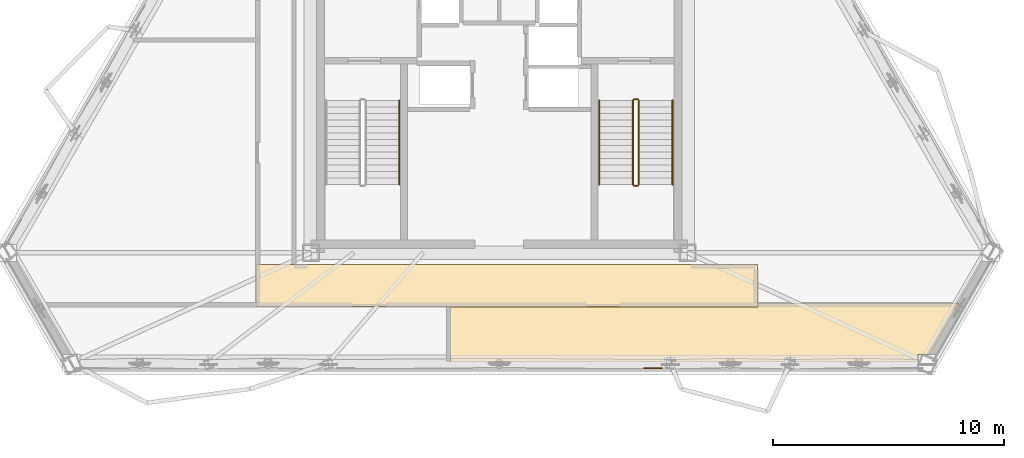
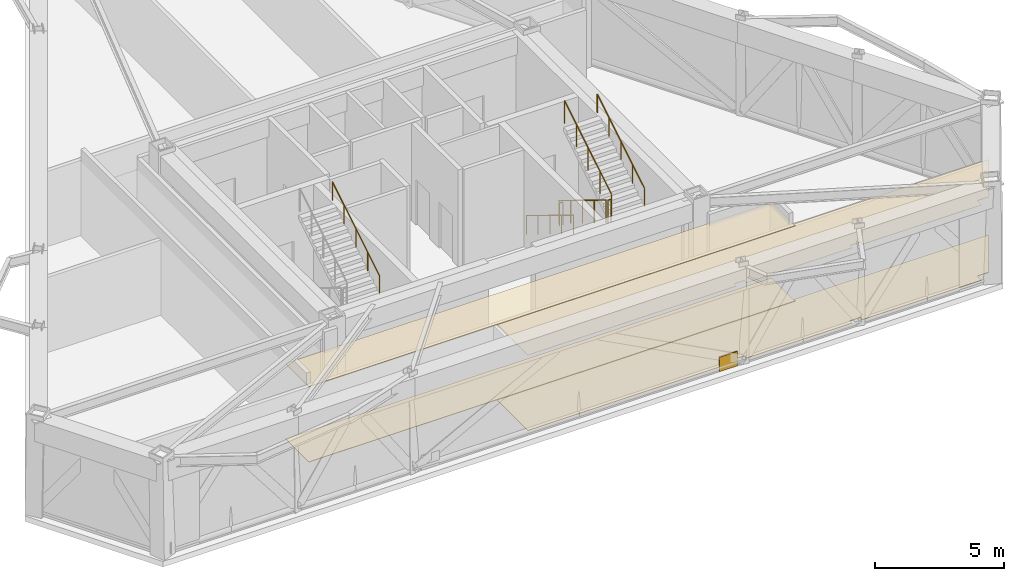
# One storey, part 9 of 10: 7 railings, 5 coverings.
"""IFC4 building model written with IfcOpenShell, lengths in metres."""

from ifc_helpers import new_model, si_unit, direction, frame, origin, origin_2d, place, context, subcontext, project, spatial, polyline, rectangle, circle, outline, extrude, material, layer, layer_set, type_object, element, save


model = new_model("IFC4")

# Units and contexts
model_context = context("Model", 3, precision=1e-05, world=origin(), true_north=direction((0.0, 1.0)))
body_context = subcontext(model_context, "Body", "Model", "MODEL_VIEW")
ifc_project = project(units=[si_unit("LENGTHUNIT", "METRE"), si_unit("AREAUNIT", "SQUARE_METRE"), si_unit("VOLUMEUNIT", "CUBIC_METRE"), si_unit("PLANEANGLEUNIT", "RADIAN"), si_unit("MASSUNIT", "GRAM", prefix="KILO")], contexts=[model_context])

# Site, building, storey
site_placement = place(None, origin())
site = spatial("IfcSite", under=ifc_project, at=site_placement, CompositionType="ELEMENT")
building_placement = place(site_placement, origin())
building = spatial("IfcBuilding", under=site, at=building_placement, Name="Oramaril Tower", CompositionType="ELEMENT")
storey_placement = place(building_placement, frame((0.0, 0.0, 245.10009765625)))
storey = spatial("IfcBuildingStorey", under=building, at=storey_placement, Name="L65", CompositionType="ELEMENT", Elevation=245.10009765625)

# Coverings
ifc_material_1 = material(Name="Mineral Fibre Acoustic Ceiling")
ifc_layer_1 = layer(ifc_material_1, 0.02001953125)
ifc_layer_set_1 = layer_set([ifc_layer_1], Name="CVT-CEIL")
covering_type_1 = type_object("IfcCoveringType", Name="CVT-CEIL", PredefinedType="CEILING", material=ifc_layer_set_1)
covering_1_placement = place(storey_placement, frame((0.0, 0.0, 3.56201171875)))
element("IfcCovering", 1, at=covering_1_placement, inside=storey, type_object=covering_type_1, Name="L65 Acoustic Suspended Ceiling 1", PredefinedType="CEILING", context=body_context, shape_type="SweptSolid", body=[
    extrude(outline(polyline([(48.679931640625, 10.47998046875), (48.679931640625, 8.669921875), (26.969970703125, 8.669921875), (26.969970703125, 10.47998046875), (48.679931640625, 10.47998046875)])), origin(), (0.0, 0.0, 1.0), 0.019775390625),
])
covering_2_placement = place(storey_placement, frame((0.0, 0.0, 3.56201171875)))
element("IfcCovering", 2, at=covering_2_placement, inside=storey, type_object=covering_type_1, Name="L65 Acoustic Suspended Ceiling 5", PredefinedType="CEILING", context=body_context, shape_type="SweptSolid", body=[
    extrude(outline(polyline([(50.3173828125, 6.449951171875), (49.861083984375, 6.449951171875), (49.861083984375, 6.276123046875), (45.1298828125, 6.276123046875), (45.1298828125, 6.449951171875), (44.680908203125, 6.449951171875), (44.680908203125, 6.276123046875), (35.362060546875, 6.276123046875), (35.362060546875, 8.64990234375), (48.679931640625, 8.64990234375), (48.681884765625, 8.650146484375), (48.683837890625, 8.650390625), (48.685791015625, 8.65087890625), (48.687744140625, 8.651611328125), (48.689453125, 8.65234375), (48.691162109375, 8.6533203125), (48.692626953125, 8.654541015625), (48.694091796875, 8.656005859375), (48.695556640625, 8.6572265625), (48.696533203125, 8.658935546875), (48.697509765625, 8.66064453125), (48.698486328125, 8.662353515625), (48.69921875, 8.664306640625), (48.69970703125, 8.666015625), (48.699951171875, 8.66796875), (48.699951171875, 8.669921875), (48.699951171875, 8.7919921875), (57.391357421875, 8.7919921875), (56.1259765625, 6.6005859375), (55.631103515625, 6.6005859375), (55.631103515625, 6.276123046875), (50.3173828125, 6.276123046875), (50.3173828125, 6.449951171875)])), origin(), (0.0, 0.0, 1.0), 0.019775390625),
])
ifc_material_2 = material(Name="Warm Cream Limestone", Category="masonry")
ifc_layer_2 = layer(ifc_material_2, 0.050048828125)
ifc_layer_set_2 = layer_set([ifc_layer_2], Name="CVT-CLD")
covering_type_2 = type_object("IfcCoveringType", Name="CVT-CLD", PredefinedType="CLADDING", material=ifc_layer_set_2)
covering_3_placement = place(storey_placement, frame((44.160400390625, 6.000244140625, 0.0400390625), z_axis=(0.0, 0.0, 1.0), x_axis=(1.0, 0.0, 0.0)))
element("IfcCovering", 3, at=covering_3_placement, inside=storey, type_object=covering_type_2, Name="L65 Warm Cream Limestone Spandrel Cladding", PredefinedType="CLADDING", context=body_context, shape_type="SweptSolid", body=[
    extrude(rectangle(XDim=0.800048828125, YDim=0.050048828125, at=origin_2d()), origin(), (0.0, 0.0, 1.0), 0.679931640625),
])
ifc_material_3 = material(Name="Honed Quartzite Stone Flooring", Category="masonry")
ifc_layer_3 = layer(ifc_material_3, 0.02490234375)
ifc_layer_set_3 = layer_set([ifc_layer_3], Name="CVT-FLR")
covering_type_3 = type_object("IfcCoveringType", Name="CVT-FLR", PredefinedType="FLOORING", material=ifc_layer_set_3)
covering_4_placement = place(storey_placement, origin())
element("IfcCovering", 4, at=covering_4_placement, inside=storey, type_object=covering_type_3, Name="L65 Honed Stone Floor Finish 1", PredefinedType="FLOORING", context=body_context, shape_type="SweptSolid", body=[
    extrude(outline(polyline([(48.679931640625, 10.47998046875), (48.679931640625, 8.669921875), (26.969970703125, 8.669921875), (26.969970703125, 10.47998046875), (48.679931640625, 10.47998046875)])), origin(), (0.0, 0.0, 1.0), 0.02490234375),
])
covering_5_placement = place(storey_placement, origin())
element("IfcCovering", 5, at=covering_5_placement, inside=storey, type_object=covering_type_3, Name="L65 Honed Stone Floor Finish 5", PredefinedType="FLOORING", context=body_context, shape_type="SweptSolid", body=[
    extrude(outline(polyline([(50.3173828125, 6.449951171875), (49.861083984375, 6.449951171875), (49.861083984375, 6.276123046875), (45.1298828125, 6.276123046875), (45.1298828125, 6.449951171875), (44.680908203125, 6.449951171875), (44.680908203125, 6.276123046875), (35.362060546875, 6.276123046875), (35.362060546875, 8.64990234375), (48.679931640625, 8.64990234375), (48.681884765625, 8.650146484375), (48.683837890625, 8.650390625), (48.685791015625, 8.65087890625), (48.687744140625, 8.651611328125), (48.689453125, 8.65234375), (48.691162109375, 8.6533203125), (48.692626953125, 8.654541015625), (48.694091796875, 8.656005859375), (48.695556640625, 8.6572265625), (48.696533203125, 8.658935546875), (48.697509765625, 8.66064453125), (48.698486328125, 8.662353515625), (48.69921875, 8.664306640625), (48.69970703125, 8.666015625), (48.699951171875, 8.66796875), (48.699951171875, 8.669921875), (48.699951171875, 8.7919921875), (57.391357421875, 8.7919921875), (56.1259765625, 6.6005859375), (55.631103515625, 6.6005859375), (55.631103515625, 6.276123046875), (50.3173828125, 6.276123046875), (50.3173828125, 6.449951171875)])), origin(), (0.0, 0.0, 1.0), 0.02490234375),
])

# Railings
ifc_material_4 = material(Name="Stainless Steel 316L", Category="steel")
railing_type_1 = type_object("IfcRailingType", Name="RLT-GRD", PredefinedType="GUARDRAIL", material=ifc_material_4)
railing_1_placement = place(storey_placement, frame((43.2900390625, 17.590087890625, 0.17138671875)))
element("IfcRailing", 6, at=railing_1_placement, inside=storey, type_object=railing_type_1, Name="L65 ST-2 stair guard 1", PredefinedType="GUARDRAIL", context=body_context, shape_type="SweptSolid", body=[
    extrude(circle(Radius=0.02392578125, at=origin_2d()), frame((0.0, 0.0, 1.076171875), z_axis=(0.0, -0.852865859571, 0.52213008492), x_axis=(1.0, 0.0, 0.0)), (0.0, 0.0, 1.0), 4.26806640625),
    extrude(circle(Radius=0.02099609375, at=origin_2d()), origin(), (0.0, 0.0, 1.0), 1.052001953125),
    extrude(circle(Radius=0.02099609375, at=origin_2d()), frame((0.0, -0.91015625, 0.55712890625)), (0.0, 0.0, 1.0), 1.052001953125),
    extrude(circle(Radius=0.02099609375, at=origin_2d()), frame((0.0, -1.820068359375, 1.1142578125)), (0.0, 0.0, 1.0), 1.052001953125),
    extrude(circle(Radius=0.02099609375, at=origin_2d()), frame((0.0, -2.72998046875, 1.67138671875)), (0.0, 0.0, 1.0), 1.052001953125),
    extrude(circle(Radius=0.02099609375, at=origin_2d()), frame((0.0, -3.64013671875, 2.228515625)), (0.0, 0.0, 1.0), 1.052001953125),
])
railing_2_placement = place(storey_placement, frame((43.340087890625, 13.89990234375, 2.39990234375)))
element("IfcRailing", 7, at=railing_2_placement, inside=storey, type_object=railing_type_1, Name="L65 ST-2 stair guard 2", PredefinedType="GUARDRAIL", context=body_context, shape_type="SweptSolid", body=[
    extrude(circle(Radius=0.02392578125, at=origin_2d()), frame((0.0, 0.0, 1.076171875), z_axis=(1.0, 0.0, 0.0), x_axis=(0.0, 1.0, 0.0)), (0.0, 0.0, 1.0), 0.14990234375),
    extrude(circle(Radius=0.02099609375, at=origin_2d()), origin(), (0.0, 0.0, 1.0), 1.052001953125),
    extrude(circle(Radius=0.02099609375, at=origin_2d()), frame((0.14990234375, 0.0, 0.0)), (0.0, 0.0, 1.0), 1.052001953125),
])
railing_3_placement = place(storey_placement, frame((43.5400390625, 13.949951171875, 2.5712890625)))
element("IfcRailing", 8, at=railing_3_placement, inside=storey, type_object=railing_type_1, Name="L65 ST-2 stair guard 3", PredefinedType="GUARDRAIL", context=body_context, shape_type="SweptSolid", body=[
    extrude(circle(Radius=0.02392578125, at=origin_2d()), frame((0.0, 0.0, 1.076171875), z_axis=(0.0, 0.852865859571, 0.52213008492), x_axis=(-1.0, 0.0, 0.0)), (0.0, 0.0, 1.0), 4.26806640625),
    extrude(circle(Radius=0.02099609375, at=origin_2d()), origin(), (0.0, 0.0, 1.0), 1.052001953125),
    extrude(circle(Radius=0.02099609375, at=origin_2d()), frame((0.0, 0.91015625, 0.55712890625)), (0.0, 0.0, 1.0), 1.052001953125),
    extrude(circle(Radius=0.02099609375, at=origin_2d()), frame((0.0, 1.820068359375, 1.1142578125)), (0.0, 0.0, 1.0), 1.052001953125),
    extrude(circle(Radius=0.02099609375, at=origin_2d()), frame((0.0, 2.72998046875, 1.67138671875)), (0.0, 0.0, 1.0), 1.052001953125),
    extrude(circle(Radius=0.02099609375, at=origin_2d()), frame((0.0, 3.64013671875, 2.228515625)), (0.0, 0.0, 1.0), 1.052001953125),
])
railing_4_placement = place(storey_placement, frame((43.340087890625, 17.639892578125, 0.0)))
element("IfcRailing", 9, at=railing_4_placement, inside=storey, type_object=railing_type_1, Name="L65 ST-2 stair guard 4", PredefinedType="GUARDRAIL", context=body_context, shape_type="SweptSolid", body=[
    extrude(circle(Radius=0.02392578125, at=origin_2d()), frame((0.0, 0.0, 1.076171875), z_axis=(1.0, 0.0, 0.0), x_axis=(0.0, 1.0, 0.0)), (0.0, 0.0, 1.0), 0.14990234375),
    extrude(circle(Radius=0.02099609375, at=origin_2d()), origin(), (0.0, 0.0, 1.0), 1.052001953125),
    extrude(circle(Radius=0.02099609375, at=origin_2d()), frame((0.14990234375, 0.0, 0.0)), (0.0, 0.0, 1.0), 1.052001953125),
])
ifc_material_5 = material(Name="Stainless Steel 316L", Category="steel")
railing_type_2 = type_object("IfcRailingType", Name="RLT-HND", PredefinedType="HANDRAIL", material=ifc_material_5)
railing_5_placement = place(storey_placement, frame((33.169921875, 13.949951171875, 2.5712890625)))
element("IfcRailing", 10, at=railing_5_placement, inside=storey, type_object=railing_type_2, Name="L65 ST-1 stair handrail 2", PredefinedType="HANDRAIL", context=body_context, shape_type="SweptSolid", body=[
    extrude(circle(Radius=0.02392578125, at=origin_2d()), frame((0.0, 0.0, 0.8759765625), z_axis=(0.0, 0.852865859571, 0.52213008492), x_axis=(-1.0, 0.0, 0.0)), (0.0, 0.0, 1.0), 4.26806640625),
    extrude(circle(Radius=0.02099609375, at=origin_2d()), origin(), (0.0, 0.0, 1.0), 0.851806640625),
    extrude(circle(Radius=0.02099609375, at=origin_2d()), frame((0.0, 0.91015625, 0.55712890625)), (0.0, 0.0, 1.0), 0.851806640625),
    extrude(circle(Radius=0.02099609375, at=origin_2d()), frame((0.0, 1.820068359375, 1.1142578125)), (0.0, 0.0, 1.0), 0.851806640625),
    extrude(circle(Radius=0.02099609375, at=origin_2d()), frame((0.0, 2.72998046875, 1.67138671875)), (0.0, 0.0, 1.0), 0.851806640625),
    extrude(circle(Radius=0.02099609375, at=origin_2d()), frame((0.0, 3.64013671875, 2.228515625)), (0.0, 0.0, 1.0), 0.851806640625),
])
railing_6_placement = place(storey_placement, frame((41.830078125, 17.590087890625, 0.17138671875)))
element("IfcRailing", 11, at=railing_6_placement, inside=storey, type_object=railing_type_2, Name="L65 ST-2 stair handrail 1", PredefinedType="HANDRAIL", context=body_context, shape_type="SweptSolid", body=[
    extrude(circle(Radius=0.02392578125, at=origin_2d()), frame((0.0, 0.0, 0.8759765625), z_axis=(0.0, -0.852865859571, 0.52213008492), x_axis=(1.0, 0.0, 0.0)), (0.0, 0.0, 1.0), 4.26806640625),
    extrude(circle(Radius=0.02099609375, at=origin_2d()), origin(), (0.0, 0.0, 1.0), 0.851806640625),
    extrude(circle(Radius=0.02099609375, at=origin_2d()), frame((0.0, -0.91015625, 0.55712890625)), (0.0, 0.0, 1.0), 0.851806640625),
    extrude(circle(Radius=0.02099609375, at=origin_2d()), frame((0.0, -1.820068359375, 1.1142578125)), (0.0, 0.0, 1.0), 0.851806640625),
    extrude(circle(Radius=0.02099609375, at=origin_2d()), frame((0.0, -2.72998046875, 1.67138671875)), (0.0, 0.0, 1.0), 0.851806640625),
    extrude(circle(Radius=0.02099609375, at=origin_2d()), frame((0.0, -3.64013671875, 2.228515625)), (0.0, 0.0, 1.0), 0.851806640625),
])
railing_7_placement = place(storey_placement, frame((45.0, 13.949951171875, 2.5712890625)))
element("IfcRailing", 12, at=railing_7_placement, inside=storey, type_object=railing_type_2, Name="L65 ST-2 stair handrail 2", PredefinedType="HANDRAIL", context=body_context, shape_type="SweptSolid", body=[
    extrude(circle(Radius=0.02392578125, at=origin_2d()), frame((0.0, 0.0, 0.8759765625), z_axis=(0.0, 0.852865859571, 0.52213008492), x_axis=(-1.0, 0.0, 0.0)), (0.0, 0.0, 1.0), 4.26806640625),
    extrude(circle(Radius=0.02099609375, at=origin_2d()), origin(), (0.0, 0.0, 1.0), 0.851806640625),
    extrude(circle(Radius=0.02099609375, at=origin_2d()), frame((0.0, 0.91015625, 0.55712890625)), (0.0, 0.0, 1.0), 0.851806640625),
    extrude(circle(Radius=0.02099609375, at=origin_2d()), frame((0.0, 1.820068359375, 1.1142578125)), (0.0, 0.0, 1.0), 0.851806640625),
    extrude(circle(Radius=0.02099609375, at=origin_2d()), frame((0.0, 2.72998046875, 1.67138671875)), (0.0, 0.0, 1.0), 0.851806640625),
    extrude(circle(Radius=0.02099609375, at=origin_2d()), frame((0.0, 3.64013671875, 2.228515625)), (0.0, 0.0, 1.0), 0.851806640625),
])

save(model, "model.ifc")
